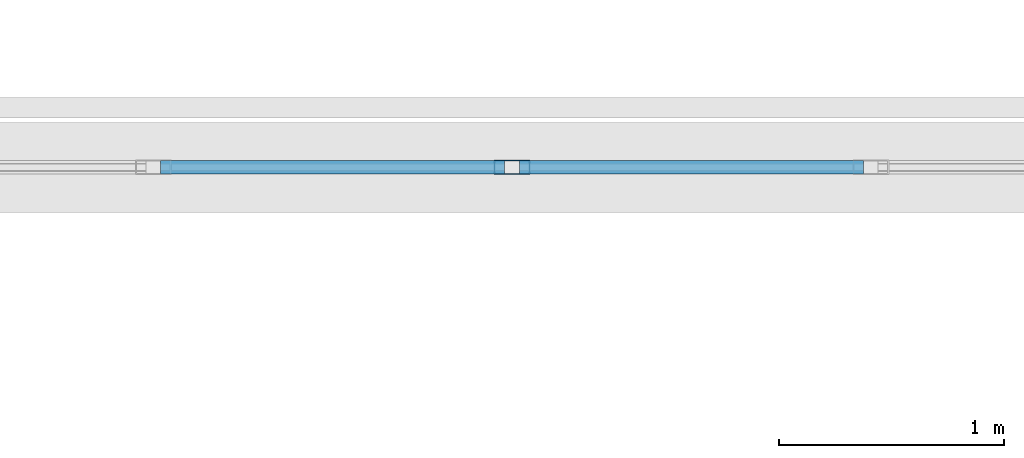
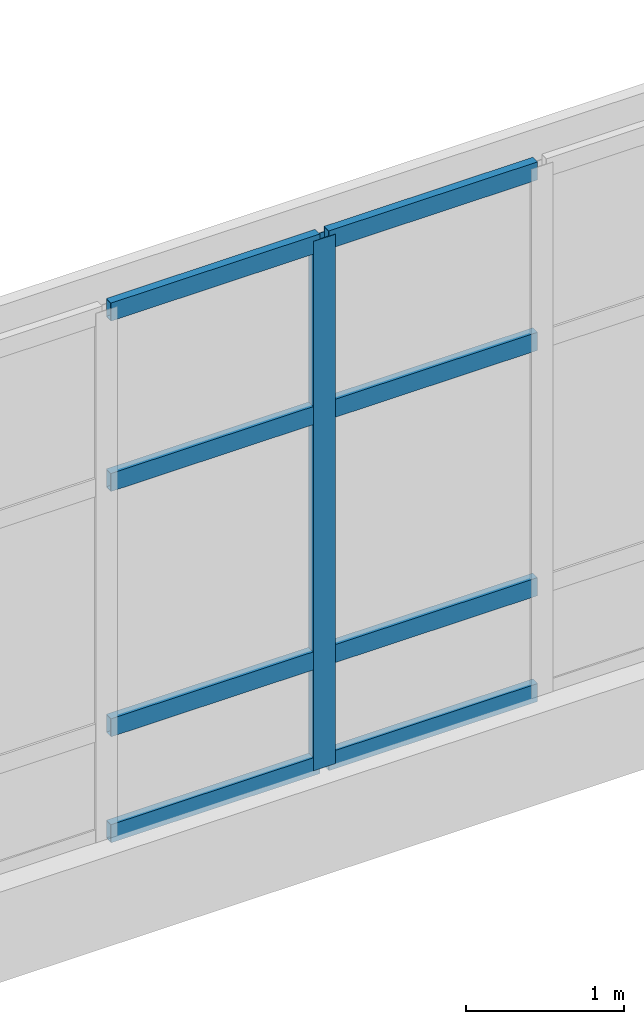
# One storey, part 57 of 170: 9 members, 1 element without a shape of its own.
"""IFC4 building model written with IfcOpenShell, lengths in metres."""

from ifc_helpers import new_model, si_unit, direction, frame, origin, origin_2d, place, context, subcontext, project, spatial, hollow_rectangle, extrude, material, material_profile, profile_set, type_object, element, aggregate, save


model = new_model("IFC4")

# Units and contexts
model_context = context("Model", 3, precision=1e-05, world=origin(), true_north=direction((0.0, 1.0)))
body_context = subcontext(model_context, "Body", "Model", "MODEL_VIEW")
ifc_project = project(units=[si_unit("LENGTHUNIT", "METRE"), si_unit("AREAUNIT", "SQUARE_METRE"), si_unit("VOLUMEUNIT", "CUBIC_METRE"), si_unit("PLANEANGLEUNIT", "RADIAN"), si_unit("MASSUNIT", "GRAM", prefix="KILO")], contexts=[model_context])

# Site, building, storey
site_placement = place(None, origin())
site = spatial("IfcSite", under=ifc_project, at=site_placement, CompositionType="ELEMENT")
building_placement = place(site_placement, origin())
building = spatial("IfcBuilding", under=site, at=building_placement, Name="Vondelvale Polytechnic", CompositionType="ELEMENT")
storey_placement = place(building_placement, frame((0.0, 0.0, 5.39990234375)))
storey = spatial("IfcBuildingStorey", under=building, at=storey_placement, Name="L01", CompositionType="ELEMENT", Elevation=5.39990234375)

# Curtain wall, members
ifc_material = material(Name="Anodised extruded aluminium 6063-T6", Category="aluminium")
curtain_wall_type = type_object("IfcCurtainWallType", Name="CW-STUDIO-NORTH", PredefinedType="NOTDEFINED", material=ifc_material)
curtain_wall_placement = place(storey_placement, origin())
curtain_wall = element("IfcCurtainWall", 1, at=curtain_wall_placement, inside=storey, type_object=curtain_wall_type, Name="L01 architectural curtain wall CW-01-002", PredefinedType="NOTDEFINED")
ifc_material_profile_1 = material_profile(ifc_material, hollow_rectangle(XDim=0.06494140625, YDim=0.159912109375, WallThickness=0.0048828125, at=origin_2d()), Name="CW-MUL-160x65")
ifc_profile_set_1 = profile_set([ifc_material_profile_1], Name="Anodised extruded aluminium 6063-T6")
member_type_1 = type_object("IfcMemberType", Name="CW-MUL-65x160", PredefinedType="MULLION", material=ifc_profile_set_1)
member_1_placement = place(storey_placement, frame((14.39990234375, 122.39990234375, 0.0), z_axis=(0.0, 0.0, 1.0), x_axis=(0.0, 1.0, 0.0)))
member_1 = element("IfcMember", 2, at=member_1_placement, type_object=member_type_1, Name="CW-01-002 mullion 4", PredefinedType="MULLION", context=body_context, shape_type="SweptSolid", body=[
    extrude(hollow_rectangle(XDim=0.06494140625, YDim=0.159912109375, WallThickness=0.0048828125, at=origin_2d()), origin(), (0.0, 0.0, 1.0), 4.10009765625),
])
ifc_material_profile_2 = material_profile(ifc_material, hollow_rectangle(XDim=0.06005859375, YDim=0.139892578125, WallThickness=0.00341796875, at=origin_2d()), Name="CW-TRN-140x60")
ifc_profile_set_2 = profile_set([ifc_material_profile_2], Name="Anodised extruded aluminium 6063-T6")
member_type_2 = type_object("IfcMemberType", Name="CW-TRN-60x140", PredefinedType="USERDEFINED", material=ifc_profile_set_2)
member_2_placement = place(storey_placement, frame((12.83740234375, 122.39990234375, 0.030029296875), z_axis=(1.0, 0.0, 0.0), x_axis=(0.0, 1.0, 0.0)))
member_2 = element("IfcMember", 3, at=member_2_placement, type_object=member_type_2, Name="CW-01-002 transom 3.1", ObjectType="TRANSOM", PredefinedType="USERDEFINED", context=body_context, shape_type="SweptSolid", body=[
    extrude(hollow_rectangle(XDim=0.06005859375, YDim=0.139892578125, WallThickness=0.00341796875, at=origin_2d()), origin(), (0.0, 0.0, 1.0), 1.530029296875),
])
member_3_placement = place(storey_placement, frame((12.83740234375, 122.39990234375, 0.85009765625), z_axis=(1.0, 0.0, 0.0), x_axis=(0.0, 1.0, 0.0)))
member_3 = element("IfcMember", 4, at=member_3_placement, type_object=member_type_2, Name="CW-01-002 transom 3.2", ObjectType="TRANSOM", PredefinedType="USERDEFINED", context=body_context, shape_type="SweptSolid", body=[
    extrude(hollow_rectangle(XDim=0.06005859375, YDim=0.139892578125, WallThickness=0.00341796875, at=origin_2d()), origin(), (0.0, 0.0, 1.0), 1.530029296875),
])
member_4_placement = place(storey_placement, frame((12.83740234375, 122.39990234375, 2.75), z_axis=(1.0, 0.0, 0.0), x_axis=(0.0, 1.0, 0.0)))
member_4 = element("IfcMember", 5, at=member_4_placement, type_object=member_type_2, Name="CW-01-002 transom 3.3", ObjectType="TRANSOM", PredefinedType="USERDEFINED", context=body_context, shape_type="SweptSolid", body=[
    extrude(hollow_rectangle(XDim=0.06005859375, YDim=0.139892578125, WallThickness=0.00341796875, at=origin_2d()), origin(), (0.0, 0.0, 1.0), 1.530029296875),
])
member_5_placement = place(storey_placement, frame((12.83740234375, 122.39990234375, 4.070068359375), z_axis=(1.0, 0.0, 0.0), x_axis=(0.0, 1.0, 0.0)))
member_5 = element("IfcMember", 6, at=member_5_placement, type_object=member_type_2, Name="CW-01-002 transom 3.4", ObjectType="TRANSOM", PredefinedType="USERDEFINED", context=body_context, shape_type="SweptSolid", body=[
    extrude(hollow_rectangle(XDim=0.06005859375, YDim=0.139892578125, WallThickness=0.00341796875, at=origin_2d()), origin(), (0.0, 0.0, 1.0), 1.530029296875),
])
member_6_placement = place(storey_placement, frame((14.4326171875, 122.39990234375, 0.030029296875), z_axis=(1.0, 0.0, 0.0), x_axis=(0.0, 1.0, 0.0)))
member_6 = element("IfcMember", 7, at=member_6_placement, type_object=member_type_2, Name="CW-01-002 transom 4.1", ObjectType="TRANSOM", PredefinedType="USERDEFINED", context=body_context, shape_type="SweptSolid", body=[
    extrude(hollow_rectangle(XDim=0.06005859375, YDim=0.139892578125, WallThickness=0.00341796875, at=origin_2d()), origin(), (0.0, 0.0, 1.0), 1.52978515625),
])
member_7_placement = place(storey_placement, frame((14.4326171875, 122.39990234375, 0.85009765625), z_axis=(1.0, 0.0, 0.0), x_axis=(0.0, 1.0, 0.0)))
member_7 = element("IfcMember", 8, at=member_7_placement, type_object=member_type_2, Name="CW-01-002 transom 4.2", ObjectType="TRANSOM", PredefinedType="USERDEFINED", context=body_context, shape_type="SweptSolid", body=[
    extrude(hollow_rectangle(XDim=0.06005859375, YDim=0.139892578125, WallThickness=0.00341796875, at=origin_2d()), origin(), (0.0, 0.0, 1.0), 1.52978515625),
])
member_8_placement = place(storey_placement, frame((14.4326171875, 122.39990234375, 2.75), z_axis=(1.0, 0.0, 0.0), x_axis=(0.0, 1.0, 0.0)))
member_8 = element("IfcMember", 9, at=member_8_placement, type_object=member_type_2, Name="CW-01-002 transom 4.3", ObjectType="TRANSOM", PredefinedType="USERDEFINED", context=body_context, shape_type="SweptSolid", body=[
    extrude(hollow_rectangle(XDim=0.06005859375, YDim=0.139892578125, WallThickness=0.00341796875, at=origin_2d()), origin(), (0.0, 0.0, 1.0), 1.52978515625),
])
member_9_placement = place(storey_placement, frame((14.4326171875, 122.39990234375, 4.070068359375), z_axis=(1.0, 0.0, 0.0), x_axis=(0.0, 1.0, 0.0)))
member_9 = element("IfcMember", 10, at=member_9_placement, type_object=member_type_2, Name="CW-01-002 transom 4.4", ObjectType="TRANSOM", PredefinedType="USERDEFINED", context=body_context, shape_type="SweptSolid", body=[
    extrude(hollow_rectangle(XDim=0.06005859375, YDim=0.139892578125, WallThickness=0.00341796875, at=origin_2d()), origin(), (0.0, 0.0, 1.0), 1.52978515625),
])
aggregate(curtain_wall, [member_1, member_2, member_3, member_4, member_5, member_6, member_7, member_8, member_9])

save(model, "model.ifc")
